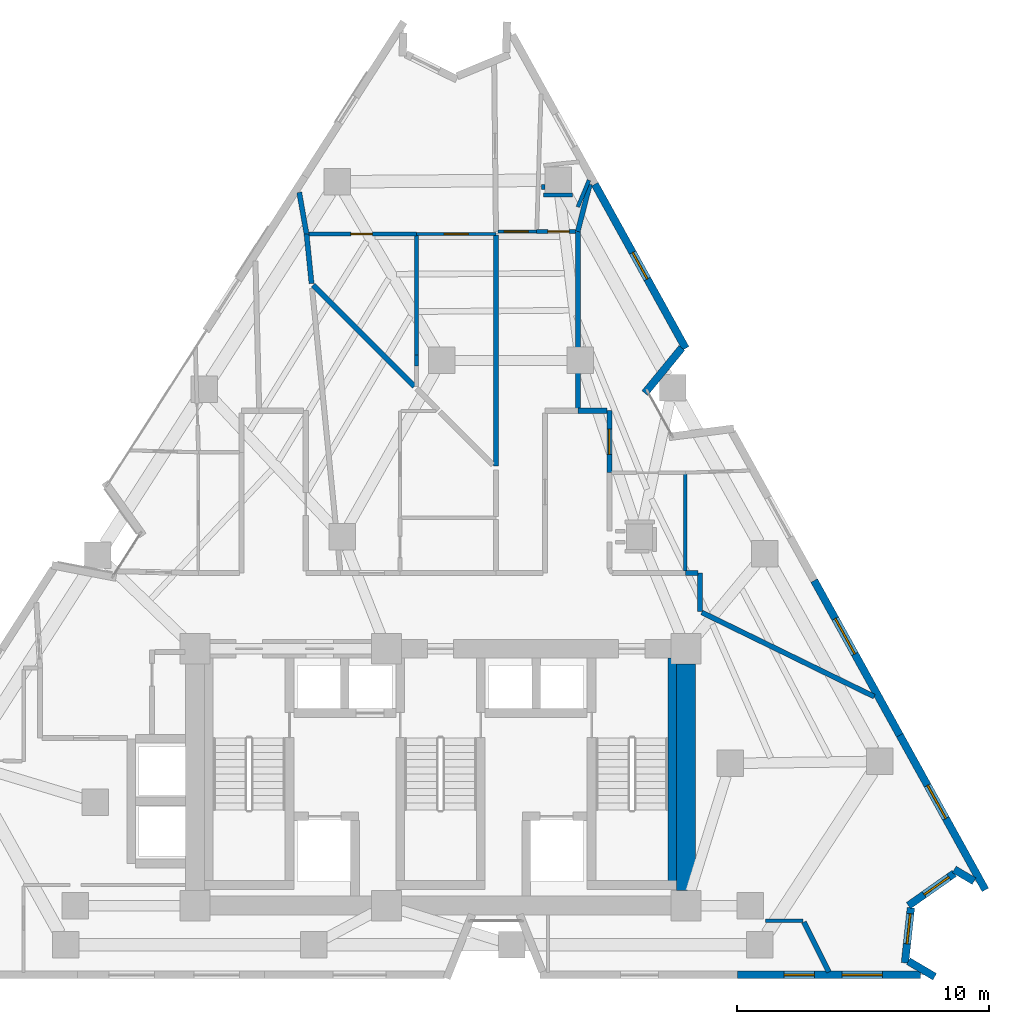
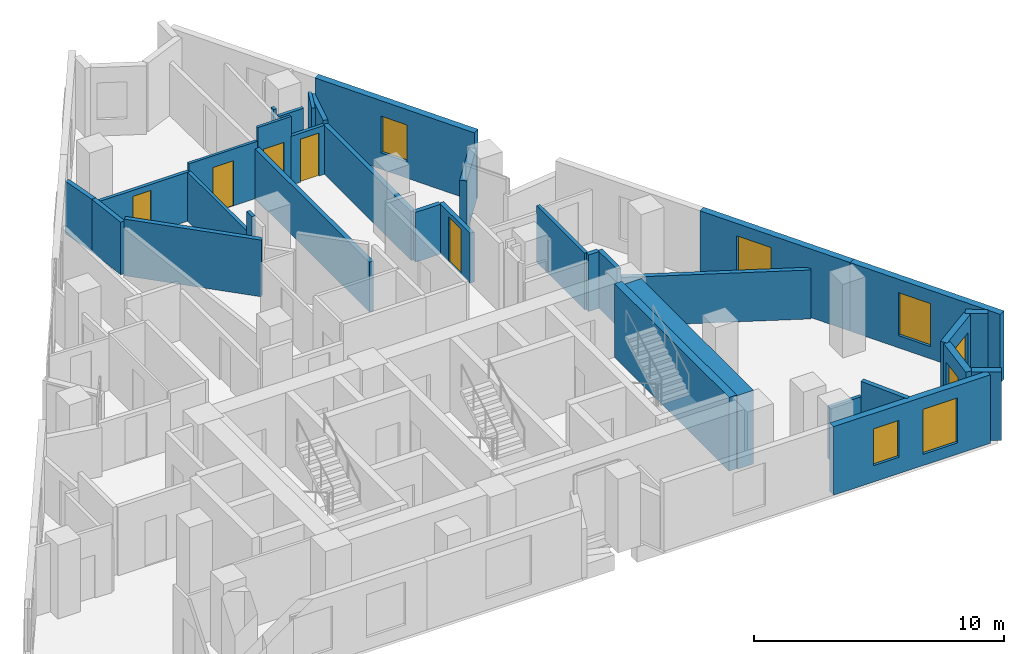
# One storey, part 8 of 11: 34 walls, 7 windows, 5 doors, 12 openings.
"""IFC4 building model written with IfcOpenShell, lengths in metres."""

from ifc_helpers import new_model, si_unit, direction, frame, frame_2d, origin, place, context, subcontext, project, spatial, rectangle, extrude, material, layer, layer_set, type_object, element, fill, save


model = new_model("IFC4")

# Units and contexts
model_context = context("Model", 3, precision=1e-05, world=origin(), true_north=direction((0.0, 1.0)))
body_context = subcontext(model_context, "Body", "Model", "MODEL_VIEW")
ifc_project = project(units=[si_unit("LENGTHUNIT", "METRE"), si_unit("AREAUNIT", "SQUARE_METRE"), si_unit("VOLUMEUNIT", "CUBIC_METRE"), si_unit("PLANEANGLEUNIT", "RADIAN"), si_unit("MASSUNIT", "GRAM", prefix="KILO")], contexts=[model_context])

# Site, building, storey
site_placement = place(None, origin())
site = spatial("IfcSite", under=ifc_project, at=site_placement, CompositionType="ELEMENT")
building_placement = place(site_placement, origin())
building = spatial("IfcBuilding", under=site, at=building_placement, Name="Almagre Mirador Tower", CompositionType="ELEMENT")
storey_placement = place(building_placement, frame((0.0, 0.0, 168.0)))
storey = spatial("IfcBuildingStorey", under=building, at=storey_placement, Name="L43", CompositionType="ELEMENT", Elevation=168.0)

# Wall, opening, window
ifc_material_1 = material(Name="Precast concrete C50/60", Category="concrete")
ifc_layer_1 = layer(ifc_material_1, 0.300048828125)
ifc_layer_set_1 = layer_set([ifc_layer_1], Name="Precast concrete C50/60")
wall_type_1 = type_object("IfcWallType", Name="WAL-EXT-300", PredefinedType="SOLIDWALL", material=ifc_layer_set_1)
wall_1_placement = place(storey_placement, frame((43.42578125, 33.1953125, 0.0), z_axis=(0.0, 0.0, 1.0), x_axis=(0.484187348611, -0.874964348671, 0.0)))
wall_1 = element("IfcWall", 1, at=wall_1_placement, inside=storey, type_object=wall_type_1, Name="L43 expressed almagre precast frame wall 10", PredefinedType="SOLIDWALL", context=body_context, shape_type="SweptSolid", body=[
    extrude(rectangle(XDim=7.451416015625, YDim=0.300048828125, at=frame_2d((3.7255859375, 0.0))), origin(), (0.0, 0.0, 1.0), 3.35009765625),
])
opening_1_placement = place(wall_1_placement, frame((3.10302734375, 0.0, 0.800048828125)))
opening_1 = element("IfcOpeningElement", 2, at=opening_1_placement, cuts=wall_1, Name="Opening WN-04", PredefinedType="OPENING", context=body_context, shape_type="SweptSolid", body=[
    extrude(rectangle(XDim=1.199951171875, YDim=1.800048828125, at=frame_2d((0.60009765625, 0.89990234375))), frame((0.0, 0.159902, 0.0), z_axis=(0.0, -1.0, 0.0), x_axis=(1.0, 0.0, 0.0)), (0.0, 0.0, 1.0), 0.320049),
])
ifc_material_2 = material(Name="Dark solar-control laminated hurricane glass", Category="glass")
window_type_1 = type_object("IfcWindowType", Name="WIN-1200X1800", PartitioningType="SINGLE_PANEL", PredefinedType="WINDOW", material=ifc_material_2)
window_1_placement = place(opening_1_placement, origin())
window_1 = element("IfcWindow", 3, at=window_1_placement, inside=storey, type_object=window_type_1, Name="L43 recessed hurricane window L43-UG-ST", OverallHeight=1.800048828125, OverallWidth=1.199951171875, PartitioningType="SINGLE_PANEL", PredefinedType="WINDOW", context=body_context, shape_type="SweptSolid", body=[
    extrude(rectangle(XDim=1.199951171875, YDim=1.800048828125, at=frame_2d((0.60009765625, 0.89990234375))), frame((0.0, 0.030029296875, 0.0), z_axis=(0.0, -1.0, 0.0), x_axis=(1.0, 0.0, 0.0)), (0.0, 0.0, 1.0), 0.06005859375),
])
fill(opening_1, window_1)

# Wall
wall_2_placement = place(storey_placement, frame((46.88037109375, 26.693603515625, 0.0), z_axis=(0.0, 0.0, 1.0), x_axis=(-0.634074551455, -0.773271920606, 0.0)))
element("IfcWall", 4, at=wall_2_placement, inside=storey, type_object=wall_type_1, Name="L43 expressed almagre precast frame wall 11", PredefinedType="SOLIDWALL", context=body_context, shape_type="SweptSolid", body=[
    extrude(rectangle(XDim=2.318603515625, YDim=0.300048828125, at=frame_2d((1.1591796875, 0.0))), origin(), (0.0, 0.0, 1.0), 2.574951171875),
])

# Wall, opening, window
wall_3_placement = place(storey_placement, frame((52.1357421875, 17.456787109375, 0.0), z_axis=(0.0, 0.0, 1.0), x_axis=(0.484177011321, -0.874970069036, 0.0)))
wall_3 = element("IfcWall", 5, at=wall_3_placement, inside=storey, type_object=wall_type_1, Name="L43 expressed almagre precast frame wall 14", PredefinedType="SOLIDWALL", context=body_context, shape_type="SweptSolid", body=[
    extrude(rectangle(XDim=7.01708984375, YDim=0.300048828125, at=frame_2d((3.508544921875, 0.0))), origin(), (0.0, 0.0, 1.0), 3.35009765625),
])
opening_2_placement = place(wall_3_placement, frame((1.72509765625, 0.0, 0.550048828125)))
opening_2 = element("IfcOpeningElement", 6, at=opening_2_placement, cuts=wall_3, Name="Opening WN-06", PredefinedType="OPENING", context=body_context, shape_type="SweptSolid", body=[
    extrude(rectangle(XDim=1.60009765625, YDim=2.199951171875, at=frame_2d((0.800048828125, 1.10009765625))), frame((0.0, 0.159902, 0.0), z_axis=(0.0, -1.0, 0.0), x_axis=(1.0, 0.0, 0.0)), (0.0, 0.0, 1.0), 0.320049),
])
ifc_material_3 = material(Name="Dark solar-control laminated hurricane glass", Category="glass")
window_type_2 = type_object("IfcWindowType", Name="WIN-1600X2200", PartitioningType="DOUBLE_PANEL_VERTICAL", PredefinedType="WINDOW", material=ifc_material_3)
window_2_placement = place(opening_2_placement, origin())
window_2 = element("IfcWindow", 7, at=window_2_placement, inside=storey, type_object=window_type_2, Name="L43 recessed hurricane window L43-UG-KT", OverallHeight=2.199951171875, OverallWidth=1.60009765625, PartitioningType="SINGLE_PANEL", PredefinedType="WINDOW", context=body_context, shape_type="SweptSolid", body=[
    extrude(rectangle(XDim=1.60009765625, YDim=2.199951171875, at=frame_2d((0.800048828125, 1.10009765625))), frame((0.0, 0.030029296875, 0.0), z_axis=(0.0, -1.0, 0.0), x_axis=(1.0, 0.0, 0.0)), (0.0, 0.0, 1.0), 0.06005859375),
])
fill(opening_2, window_2)

wall_4_placement = place(storey_placement, frame((55.533203125, 11.317138671875, 0.0), z_axis=(0.0, 0.0, 1.0), x_axis=(0.484203647085, -0.874955329231, 0.0)))
wall_4 = element("IfcWall", 8, at=wall_4_placement, inside=storey, type_object=wall_type_1, Name="L43 expressed almagre precast frame wall 15", PredefinedType="SOLIDWALL", context=body_context, shape_type="SweptSolid", body=[
    extrude(rectangle(XDim=7.01708984375, YDim=0.300048828125, at=frame_2d((3.508544921875, 0.0))), origin(), (0.0, 0.0, 1.0), 3.35009765625),
])
opening_3_placement = place(wall_4_placement, frame((2.27490234375, 0.0, 0.60009765625)))
opening_3 = element("IfcOpeningElement", 9, at=opening_3_placement, cuts=wall_4, Name="Opening WN-03", PredefinedType="OPENING", context=body_context, shape_type="SweptSolid", body=[
    extrude(rectangle(XDim=1.5, YDim=2.10009765625, at=frame_2d((0.75, 1.050048828125))), frame((0.0, 0.159902, 0.0), z_axis=(0.0, -1.0, 0.0), x_axis=(1.0, 0.0, 0.0)), (0.0, 0.0, 1.0), 0.320049),
])
ifc_material_4 = material(Name="Dark solar-control laminated hurricane glass", Category="glass")
window_type_3 = type_object("IfcWindowType", Name="WIN-1500X2100", PartitioningType="DOUBLE_PANEL_VERTICAL", PredefinedType="WINDOW", material=ifc_material_4)
window_3_placement = place(opening_3_placement, origin())
window_3 = element("IfcWindow", 10, at=window_3_placement, inside=storey, type_object=window_type_3, Name="L43 recessed hurricane window L43-RST-C", OverallHeight=2.10009765625, OverallWidth=1.5, PartitioningType="SINGLE_PANEL", PredefinedType="WINDOW", context=body_context, shape_type="SweptSolid", body=[
    extrude(rectangle(XDim=1.5, YDim=2.10009765625, at=frame_2d((0.75, 1.050048828125))), frame((0.0, 0.030029296875, 0.0), z_axis=(0.0, -1.0, 0.0), x_axis=(1.0, 0.0, 0.0)), (0.0, 0.0, 1.0), 0.06005859375),
])
fill(opening_3, window_3)

# Wall
wall_5_placement = place(storey_placement, frame((58.48388671875, 5.523681640625, 0.0), z_axis=(0.0, 0.0, 1.0), x_axis=(-0.861425815417, 0.507883416281, 0.0)))
element("IfcWall", 11, at=wall_5_placement, inside=storey, type_object=wall_type_1, Name="L43 expressed almagre precast frame wall 16", PredefinedType="SOLIDWALL", context=body_context, shape_type="SweptSolid", body=[
    extrude(rectangle(XDim=0.914306640625, YDim=0.300048828125, at=frame_2d((0.45703125, 0.0))), origin(), (0.0, 0.0, 1.0), 3.35009765625),
])

# Wall, opening, window
wall_6_placement = place(storey_placement, frame((57.698486328125, 5.83349609375, 0.0), z_axis=(0.0, 0.0, 1.0), x_axis=(-0.817967042546, -0.575265084382, 0.0)))
wall_6 = element("IfcWall", 12, at=wall_6_placement, inside=storey, type_object=wall_type_1, Name="L43 expressed almagre precast frame wall 17", PredefinedType="SOLIDWALL", context=body_context, shape_type="SweptSolid", body=[
    extrude(rectangle(XDim=2.22509765625, YDim=0.300048828125, at=frame_2d((1.112548828125, 0.0))), origin(), (0.0, 0.0, 1.0), 3.35009765625),
])
opening_4_placement = place(wall_6_placement, frame((0.264892578125, 0.0, 0.800048828125)))
opening_4 = element("IfcOpeningElement", 13, at=opening_4_placement, cuts=wall_6, Name="Opening WN-04", PredefinedType="OPENING", context=body_context, shape_type="SweptSolid", body=[
    extrude(rectangle(XDim=1.199951171875, YDim=1.800048828125, at=frame_2d((0.60009765625, 0.89990234375))), frame((0.0, 0.159902, 0.0), z_axis=(0.0, -1.0, 0.0), x_axis=(1.0, 0.0, 0.0)), (0.0, 0.0, 1.0), 0.320049),
])
window_4_placement = place(opening_4_placement, origin())
window_4 = element("IfcWindow", 14, at=window_4_placement, inside=storey, type_object=window_type_1, Name="L43 recessed hurricane window L43-RST-C", OverallHeight=1.800048828125, OverallWidth=1.199951171875, PartitioningType="SINGLE_PANEL", PredefinedType="WINDOW", context=body_context, shape_type="SweptSolid", body=[
    extrude(rectangle(XDim=1.199951171875, YDim=1.800048828125, at=frame_2d((0.60009765625, 0.89990234375))), frame((0.0, 0.030029296875, 0.0), z_axis=(0.0, -1.0, 0.0), x_axis=(1.0, 0.0, 0.0)), (0.0, 0.0, 1.0), 0.06005859375),
])
fill(opening_4, window_4)

wall_7_placement = place(storey_placement, frame((55.975341796875, 4.469970703125, 0.0), z_axis=(0.0, 0.0, 1.0), x_axis=(-0.107733264194, -0.994179834731, 0.0)))
wall_7 = element("IfcWall", 15, at=wall_7_placement, inside=storey, type_object=wall_type_1, Name="L43 expressed almagre precast frame wall 18", PredefinedType="SOLIDWALL", context=body_context, shape_type="SweptSolid", body=[
    extrude(rectangle(XDim=2.205078125, YDim=0.300048828125, at=frame_2d((1.1025390625, 0.0))), origin(), (0.0, 0.0, 1.0), 3.35009765625),
])
opening_5_placement = place(wall_7_placement, frame((0.2451171875, 0.0, 0.800048828125)))
opening_5 = element("IfcOpeningElement", 16, at=opening_5_placement, cuts=wall_7, Name="Opening WN-04", PredefinedType="OPENING", context=body_context, shape_type="SweptSolid", body=[
    extrude(rectangle(XDim=1.199951171875, YDim=1.800048828125, at=frame_2d((0.60009765625, 0.89990234375))), frame((0.0, 0.159902, 0.0), z_axis=(0.0, -1.0, 0.0), x_axis=(1.0, 0.0, 0.0)), (0.0, 0.0, 1.0), 0.320049),
])
window_5_placement = place(opening_5_placement, origin())
window_5 = element("IfcWindow", 17, at=window_5_placement, inside=storey, type_object=window_type_1, Name="L43 recessed hurricane window L43-RST-C", OverallHeight=1.800048828125, OverallWidth=1.199951171875, PartitioningType="SINGLE_PANEL", PredefinedType="WINDOW", context=body_context, shape_type="SweptSolid", body=[
    extrude(rectangle(XDim=1.199951171875, YDim=1.800048828125, at=frame_2d((0.60009765625, 0.89990234375))), frame((0.0, 0.030029296875, 0.0), z_axis=(0.0, -1.0, 0.0), x_axis=(1.0, 0.0, 0.0)), (0.0, 0.0, 1.0), 0.06005859375),
])
fill(opening_5, window_5)

# Wall
wall_8_placement = place(storey_placement, frame((55.87353515625, 2.345947265625, 0.0), z_axis=(0.0, 0.0, 1.0), x_axis=(0.861577684209, -0.50762574213, 0.0)))
element("IfcWall", 18, at=wall_8_placement, inside=storey, type_object=wall_type_1, Name="L43 expressed almagre precast frame wall 19", PredefinedType="SOLIDWALL", context=body_context, shape_type="SweptSolid", body=[
    extrude(rectangle(XDim=1.21533203125, YDim=0.300048828125, at=frame_2d((0.607666015625, 0.0))), origin(), (0.0, 0.0, 1.0), 3.35009765625),
])

# Wall, openings, windows
wall_9_placement = place(storey_placement, frame((56.360107421875, 1.800048828125, 0.0), z_axis=(0.0, 0.0, 1.0), x_axis=(-1.0, 0.0, 0.0)))
wall_9 = element("IfcWall", 19, at=wall_9_placement, inside=storey, type_object=wall_type_1, Name="L43 expressed almagre precast frame wall 20", PredefinedType="SOLIDWALL", context=body_context, shape_type="SweptSolid", body=[
    extrude(rectangle(XDim=7.26220703125, YDim=0.300048828125, at=frame_2d((3.631103515625, 0.0))), origin(), (0.0, 0.0, 1.0), 3.35009765625),
])
opening_6_placement = place(wall_9_placement, frame((4.219970703125, 0.0, 0.800048828125)))
opening_6 = element("IfcOpeningElement", 20, at=opening_6_placement, cuts=wall_9, Name="Opening WN-04", PredefinedType="OPENING", context=body_context, shape_type="SweptSolid", body=[
    extrude(rectangle(XDim=1.199951171875, YDim=1.800048828125, at=frame_2d((0.60009765625, 0.89990234375))), frame((0.0, 0.159902, 0.0), z_axis=(0.0, -1.0, 0.0), x_axis=(1.0, 0.0, 0.0)), (0.0, 0.0, 1.0), 0.320049),
])
opening_7_placement = place(wall_9_placement, frame((1.52001953125, 0.0, 0.550048828125)))
opening_7 = element("IfcOpeningElement", 21, at=opening_7_placement, cuts=wall_9, Name="Opening WN-06", PredefinedType="OPENING", context=body_context, shape_type="SweptSolid", body=[
    extrude(rectangle(XDim=1.60009765625, YDim=2.199951171875, at=frame_2d((0.800048828125, 1.10009765625))), frame((0.0, 0.159902, 0.0), z_axis=(0.0, -1.0, 0.0), x_axis=(1.0, 0.0, 0.0)), (0.0, 0.0, 1.0), 0.320049),
])
window_6_placement = place(opening_6_placement, origin())
window_6 = element("IfcWindow", 22, at=window_6_placement, inside=storey, type_object=window_type_1, Name="L43 recessed hurricane window L43-UB-KT", OverallHeight=1.800048828125, OverallWidth=1.199951171875, PartitioningType="SINGLE_PANEL", PredefinedType="WINDOW", context=body_context, shape_type="SweptSolid", body=[
    extrude(rectangle(XDim=1.199951171875, YDim=1.800048828125, at=frame_2d((0.60009765625, 0.89990234375))), frame((0.0, 0.030029296875, 0.0), z_axis=(0.0, -1.0, 0.0), x_axis=(1.0, 0.0, 0.0)), (0.0, 0.0, 1.0), 0.06005859375),
])
fill(opening_6, window_6)
window_7_placement = place(opening_7_placement, origin())
window_7 = element("IfcWindow", 23, at=window_7_placement, inside=storey, type_object=window_type_2, Name="L43 recessed hurricane window L43-RST-C", OverallHeight=2.199951171875, OverallWidth=1.60009765625, PartitioningType="SINGLE_PANEL", PredefinedType="WINDOW", context=body_context, shape_type="SweptSolid", body=[
    extrude(rectangle(XDim=1.60009765625, YDim=2.199951171875, at=frame_2d((0.800048828125, 1.10009765625))), frame((0.0, 0.030029296875, 0.0), z_axis=(0.0, -1.0, 0.0), x_axis=(1.0, 0.0, 0.0)), (0.0, 0.0, 1.0), 0.06005859375),
])
fill(opening_7, window_7)

# Wall, opening, door
ifc_material_5 = material(Name="Gypsum acoustic stud partition", Category="other")
ifc_layer_2 = layer(ifc_material_5, 0.125)
ifc_layer_set_2 = layer_set([ifc_layer_2], Name="Gypsum acoustic stud partition")
wall_type_2 = type_object("IfcWallType", Name="WAL-PRT-125-UTL", PredefinedType="PARTITIONING", material=ifc_layer_set_2)
wall_10_placement = place(storey_placement, frame((36.35009765625, 31.219970703125, 0.0), z_axis=(0.0, 0.0, 1.0), x_axis=(1.0, 0.0, 0.0)))
wall_10 = element("IfcWall", 24, at=wall_10_placement, inside=storey, type_object=wall_type_2, Name="L43 interior partition 060", PredefinedType="PARTITIONING", context=body_context, shape_type="SweptSolid", body=[
    extrude(rectangle(XDim=3.14990234375, YDim=0.125, at=frame_2d((1.574951171875, 0.0))), origin(), (0.0, 0.0, 1.0), 2.77099609375),
])
opening_8_placement = place(wall_10_placement, frame((1.10009765625, 0.0, 0.0)))
opening_8 = element("IfcOpeningElement", 25, at=opening_8_placement, cuts=wall_10, Name="Opening UD-01", PredefinedType="OPENING", context=body_context, shape_type="SweptSolid", body=[
    extrude(rectangle(XDim=0.949951171875, YDim=2.199951171875, at=frame_2d((0.47509765625, 1.10009765625))), frame((0.0, 0.0725, 0.0), z_axis=(0.0, -1.0, 0.0), x_axis=(1.0, 0.0, 0.0)), (0.0, 0.0, 1.0), 0.145),
])
ifc_material_6 = material(Name="Solid American walnut timber", Category="wood")
door_type_1 = type_object("IfcDoorType", Name="DOR-UNR-950X2200", OperationType="NOTDEFINED", PredefinedType="DOOR", material=ifc_material_6)
door_1_placement = place(opening_8_placement, origin())
door_1 = element("IfcDoor", 26, at=door_1_placement, inside=storey, type_object=door_type_1, Name="DR-1390 L43 interior door L43-UH-ST to L43-UH-KT", OperationType="SINGLE_SWING_LEFT", OverallHeight=2.199951171875, OverallWidth=0.949951171875, PredefinedType="DOOR", context=body_context, shape_type="SweptSolid", body=[
    extrude(rectangle(XDim=0.949951171875, YDim=2.199951171875, at=frame_2d((0.47509765625, 1.10009765625))), frame((0.0, 0.02490234375, 0.0), z_axis=(0.0, -1.0, 0.0), x_axis=(1.0, 0.0, 0.0)), (0.0, 0.0, 1.0), 0.050048828125),
])
fill(opening_8, door_1)

wall_11_placement = place(storey_placement, frame((41.1298828125, 31.320068359375, 0.0), z_axis=(0.0, 0.0, 1.0), x_axis=(-1.0, 0.0, 0.0)))
wall_11 = element("IfcWall", 27, at=wall_11_placement, inside=storey, type_object=wall_type_2, Name="L43 interior partition 065", PredefinedType="PARTITIONING", context=body_context, shape_type="SweptSolid", body=[
    extrude(rectangle(XDim=1.544921875, YDim=0.125, at=frame_2d((0.7724609375, 0.0))), origin(), (0.0, 0.0, 1.0), 3.35009765625),
])
opening_9_placement = place(wall_11_placement, frame((0.340087890625, 0.0, 0.0)))
opening_9 = element("IfcOpeningElement", 28, at=opening_9_placement, cuts=wall_11, Name="Opening UD-01", PredefinedType="OPENING", context=body_context, shape_type="SweptSolid", body=[
    extrude(rectangle(XDim=0.949951171875, YDim=2.199951171875, at=frame_2d((0.47509765625, 1.10009765625))), frame((0.0, 0.0725, 0.0), z_axis=(0.0, -1.0, 0.0), x_axis=(1.0, 0.0, 0.0)), (0.0, 0.0, 1.0), 0.145),
])
door_2_placement = place(opening_9_placement, origin())
door_2 = element("IfcDoor", 29, at=door_2_placement, inside=storey, type_object=door_type_1, Name="DR-1393 L43 interior door L43-UJ-ST to L43-UJ-KT", OperationType="SINGLE_SWING_RIGHT", OverallHeight=2.199951171875, OverallWidth=0.949951171875, PredefinedType="DOOR", context=body_context, shape_type="SweptSolid", body=[
    extrude(rectangle(XDim=0.949951171875, YDim=2.199951171875, at=frame_2d((0.47509765625, 1.10009765625))), frame((0.0, 0.02490234375, 0.0), z_axis=(0.0, -1.0, 0.0), x_axis=(1.0, 0.0, 0.0)), (0.0, 0.0, 1.0), 0.050048828125),
])
fill(opening_9, door_2)

# Walls
ifc_material_7 = material(Name="Gypsum acoustic stud partition", Category="other")
ifc_layer_3 = layer(ifc_material_7, 0.14990234375)
ifc_layer_set_3 = layer_set([ifc_layer_3], Name="Gypsum acoustic stud partition")
wall_type_3 = type_object("IfcWallType", Name="WAL-PRT-150-STD", PredefinedType="PARTITIONING", material=ifc_layer_set_3)
wall_12_placement = place(storey_placement, frame((50.199951171875, 3.949951171875, 0.0), z_axis=(0.0, 0.0, 1.0), x_axis=(1.0, 0.0, 0.0)))
element("IfcWall", 30, at=wall_12_placement, inside=storey, type_object=wall_type_3, Name="L43 interior partition 033", PredefinedType="PARTITIONING", context=body_context, shape_type="SweptSolid", body=[
    extrude(rectangle(XDim=1.5, YDim=0.14990234375, at=frame_2d((0.75, 0.0))), origin(), (0.0, 0.0, 1.0), 2.570068359375),
])
wall_13_placement = place(storey_placement, frame((47.02001953125, 17.8349609375, 0.0), z_axis=(0.0, 0.0, 1.0), x_axis=(0.0, 1.0, 0.0)))
element("IfcWall", 31, at=wall_13_placement, inside=storey, type_object=wall_type_3, Name="L43 interior partition 058", PredefinedType="PARTITIONING", context=body_context, shape_type="SweptSolid", body=[
    extrude(rectangle(XDim=3.844970703125, YDim=0.14990234375, at=frame_2d((1.92236328125, 0.0))), origin(), (0.0, 0.0, 1.0), 2.77099609375),
])

# Wall, opening, door
wall_14_placement = place(storey_placement, frame((32.06494140625, 31.219970703125, 0.0), z_axis=(0.0, 0.0, 1.0), x_axis=(1.0, 0.0, 0.0)))
wall_14 = element("IfcWall", 32, at=wall_14_placement, inside=storey, type_object=wall_type_3, Name="L43 interior partition 059", PredefinedType="PARTITIONING", context=body_context, shape_type="SweptSolid", body=[
    extrude(rectangle(XDim=4.28515625, YDim=0.14990234375, at=frame_2d((2.142578125, 0.0))), origin(), (0.0, 0.0, 1.0), 2.39306640625),
])
opening_10_placement = place(wall_14_placement, frame((1.675048828125, 0.0, 0.0)))
opening_10 = element("IfcOpeningElement", 33, at=opening_10_placement, cuts=wall_14, Name="Opening UD-04", PredefinedType="OPENING", context=body_context, shape_type="SweptSolid", body=[
    extrude(rectangle(XDim=0.85009765625, YDim=2.10009765625, at=frame_2d((0.425048828125, 1.050048828125))), frame((0.0, 0.084951, 0.0), z_axis=(0.0, -1.0, 0.0), x_axis=(1.0, 0.0, 0.0)), (0.0, 0.0, 1.0), 0.169902),
])
ifc_material_8 = material(Name="Moisture-resistant oak timber", Category="wood")
door_type_2 = type_object("IfcDoorType", Name="DOR-UNR-850X2100", OperationType="NOTDEFINED", PredefinedType="DOOR", material=ifc_material_8)
door_3_placement = place(opening_10_placement, origin())
door_3 = element("IfcDoor", 34, at=door_3_placement, inside=storey, type_object=door_type_2, Name="DR-1391 L43 interior door L43-UH-ST to L43-UH-BT", OperationType="SINGLE_SWING_RIGHT", OverallHeight=2.10009765625, OverallWidth=0.85009765625, PredefinedType="DOOR", context=body_context, shape_type="SweptSolid", body=[
    extrude(rectangle(XDim=0.85009765625, YDim=2.10009765625, at=frame_2d((0.425048828125, 1.050048828125))), frame((0.0, 0.02490234375, 0.0), z_axis=(0.0, -1.0, 0.0), x_axis=(1.0, 0.0, 0.0)), (0.0, 0.0, 1.0), 0.050048828125),
])
fill(opening_10, door_3)

# Wall
wall_15_placement = place(storey_placement, frame((36.35009765625, 26.419921875, 0.0), z_axis=(0.0, 0.0, 1.0), x_axis=(0.0, 1.0, 0.0)))
element("IfcWall", 35, at=wall_15_placement, inside=storey, type_object=wall_type_3, Name="L43 interior partition 063", PredefinedType="PARTITIONING", context=body_context, shape_type="SweptSolid", body=[
    extrude(rectangle(XDim=4.739990234375, YDim=0.14990234375, at=frame_2d((2.3701171875, 0.0))), origin(), (0.0, 0.0, 1.0), 2.39306640625),
])

# Wall, opening, door
wall_16_placement = place(storey_placement, frame((42.6650390625, 31.320068359375, 0.0), z_axis=(0.0, 0.0, 1.0), x_axis=(-1.0, 0.0, 0.0)))
wall_16 = element("IfcWall", 36, at=wall_16_placement, inside=storey, type_object=wall_type_3, Name="L43 interior partition 066", PredefinedType="PARTITIONING", context=body_context, shape_type="SweptSolid", body=[
    extrude(rectangle(XDim=1.544921875, YDim=0.14990234375, at=frame_2d((0.7724609375, 0.0))), origin(), (0.0, 0.0, 1.0), 2.39306640625),
])
opening_11_placement = place(wall_16_placement, frame((0.2548828125, 0.0, 0.0)))
opening_11 = element("IfcOpeningElement", 37, at=opening_11_placement, cuts=wall_16, Name="Opening UD-04", PredefinedType="OPENING", context=body_context, shape_type="SweptSolid", body=[
    extrude(rectangle(XDim=0.85009765625, YDim=2.10009765625, at=frame_2d((0.425048828125, 1.050048828125))), frame((0.0, 0.084951, 0.0), z_axis=(0.0, -1.0, 0.0), x_axis=(1.0, 0.0, 0.0)), (0.0, 0.0, 1.0), 0.169902),
])
door_4_placement = place(opening_11_placement, origin())
door_4 = element("IfcDoor", 38, at=door_4_placement, inside=storey, type_object=door_type_2, Name="DR-1394 L43 interior door L43-UJ-ST to L43-UJ-BT", OperationType="SINGLE_SWING_LEFT", OverallHeight=2.10009765625, OverallWidth=0.85009765625, PredefinedType="DOOR", context=body_context, shape_type="SweptSolid", body=[
    extrude(rectangle(XDim=0.85009765625, YDim=2.10009765625, at=frame_2d((0.425048828125, 1.050048828125))), frame((0.0, 0.02490234375, 0.0), z_axis=(0.0, -1.0, 0.0), x_axis=(1.0, 0.0, 0.0)), (0.0, 0.0, 1.0), 0.050048828125),
])
fill(opening_11, door_4)

# Walls
wall_17_placement = place(storey_placement, frame((36.35009765625, 25.97998046875, 0.0), z_axis=(0.0, 0.0, 1.0), x_axis=(0.0, 1.0, 0.0)))
element("IfcWall", 39, at=wall_17_placement, inside=storey, type_object=wall_type_3, Name="L43 interior partition 074", PredefinedType="PARTITIONING", context=body_context, shape_type="SweptSolid", body=[
    extrude(rectangle(XDim=0.43994140625, YDim=0.14990234375, at=frame_2d((0.219970703125, 0.0))), origin(), (0.0, 0.0, 1.0), 3.35009765625),
])
wall_18_placement = place(storey_placement, frame((42.75, 32.2900390625, 0.0), z_axis=(0.0, 0.0, 1.0), x_axis=(0.38662798091, 0.922235763987, 0.0)))
element("IfcWall", 40, at=wall_18_placement, inside=storey, type_object=wall_type_3, Name="L43 interior partition 075", PredefinedType="PARTITIONING", context=body_context, shape_type="SweptSolid", body=[
    extrude(rectangle(XDim=1.153564453125, YDim=0.14990234375, at=frame_2d((0.57666015625, 0.0))), origin(), (0.0, 0.0, 1.0), 2.570068359375),
])
wall_19_placement = place(storey_placement, frame((42.534912109375, 32.77001953125, 0.0), z_axis=(0.0, 0.0, 1.0), x_axis=(-1.0, 0.0, 0.0)))
element("IfcWall", 41, at=wall_19_placement, inside=storey, type_object=wall_type_3, Name="L43 interior partition 076", PredefinedType="PARTITIONING", context=body_context, shape_type="SweptSolid", body=[
    extrude(rectangle(XDim=1.155029296875, YDim=0.14990234375, at=frame_2d((0.57763671875, 0.0))), origin(), (0.0, 0.0, 1.0), 2.39306640625),
])
wall_20_placement = place(storey_placement, frame((41.3798828125, 32.985107421875, 0.0), z_axis=(0.0, 0.0, 1.0), x_axis=(0.0, 1.0, 0.0)))
element("IfcWall", 42, at=wall_20_placement, inside=storey, type_object=wall_type_3, Name="L43 interior partition 077", PredefinedType="PARTITIONING", context=body_context, shape_type="SweptSolid", body=[
    extrude(rectangle(XDim=0.206787109375, YDim=0.14990234375, at=frame_2d((0.103515625, 0.0))), origin(), (0.0, 0.0, 1.0), 2.570068359375),
])

# Wall, opening, door
ifc_material_9 = material(Name="Gypsum acoustic stud partition", Category="other")
ifc_layer_4 = layer(ifc_material_9, 0.199951171875)
ifc_layer_set_4 = layer_set([ifc_layer_4], Name="Gypsum acoustic stud partition")
wall_type_4 = type_object("IfcWallType", Name="WAL-PRT-200-EI60", PredefinedType="PARTITIONING", material=ifc_layer_set_4)
wall_21_placement = place(storey_placement, frame((44.0, 21.739990234375, 0.0), z_axis=(0.0, 0.0, 1.0), x_axis=(0.0, 1.0, 0.0)))
wall_21 = element("IfcWall", 43, at=wall_21_placement, inside=storey, type_object=wall_type_4, Name="L43 interior partition 014", PredefinedType="PARTITIONING", context=body_context, shape_type="SweptSolid", body=[
    extrude(rectangle(XDim=2.4599609375, YDim=0.199951171875, at=frame_2d((1.22998046875, 0.0))), origin(), (0.0, 0.0, 1.0), 2.43603515625),
])
opening_12_placement = place(wall_21_placement, frame((0.72998046875, 0.0, 0.0)))
opening_12 = element("IfcOpeningElement", 44, at=opening_12_placement, cuts=wall_21, Name="Opening ID-01", PredefinedType="OPENING", context=body_context, shape_type="SweptSolid", body=[
    extrude(rectangle(XDim=1.0, YDim=2.199951171875, at=frame_2d((0.5, 1.10009765625))), frame((0.0, 0.110098, 0.0), z_axis=(0.0, -1.0, 0.0), x_axis=(1.0, 0.0, 0.0)), (0.0, 0.0, 1.0), 0.219951),
])
ifc_material_10 = material(Name="Fire-rated walnut timber", Category="wood")
door_type_3 = type_object("IfcDoorType", Name="DOR-FD60-1000X2200", OperationType="NOTDEFINED", PredefinedType="DOOR", material=ifc_material_10)
door_5_placement = place(opening_12_placement, origin())
door_5 = element("IfcDoor", 45, at=door_5_placement, inside=storey, type_object=door_type_3, Name="DR-1387 L43 interior door L43-RCOR to L43-UG-ST", OperationType="SINGLE_SWING_RIGHT", OverallHeight=2.199951171875, OverallWidth=1.0, PredefinedType="DOOR", context=body_context, shape_type="SweptSolid", body=[
    extrude(rectangle(XDim=1.0, YDim=2.199951171875, at=frame_2d((0.5, 1.10009765625))), frame((0.0, 0.02490234375, 0.0), z_axis=(0.0, -1.0, 0.0), x_axis=(1.0, 0.0, 0.0)), (0.0, 0.0, 1.0), 0.050048828125),
])
fill(opening_12, door_5)

# Walls
wall_22_placement = place(storey_placement, frame((43.9150390625, 24.199951171875, 0.0), z_axis=(0.0, 0.0, 1.0), x_axis=(-1.0, 0.0, 0.0)))
element("IfcWall", 46, at=wall_22_placement, inside=storey, type_object=wall_type_4, Name="L43 interior partition 015", PredefinedType="PARTITIONING", context=body_context, shape_type="SweptSolid", body=[
    extrude(rectangle(XDim=1.1650390625, YDim=0.199951171875, at=frame_2d((0.58251953125, 0.0))), origin(), (0.0, 0.0, 1.0), 2.43603515625),
])
wall_23_placement = place(storey_placement, frame((47.60009765625, 16.22998046875, 0.0), z_axis=(0.0, 0.0, 1.0), x_axis=(0.0, 1.0, 0.0)))
element("IfcWall", 47, at=wall_23_placement, inside=storey, type_object=wall_type_4, Name="L43 interior partition 019", PredefinedType="PARTITIONING", context=body_context, shape_type="SweptSolid", body=[
    extrude(rectangle(XDim=1.52001953125, YDim=0.199951171875, at=frame_2d((0.760009765625, 0.0))), origin(), (0.0, 0.0, 1.0), 2.77099609375),
])
wall_24_placement = place(storey_placement, frame((47.514892578125, 17.75, 0.0), z_axis=(0.0, 0.0, 1.0), x_axis=(-1.0, 0.0, 0.0)))
element("IfcWall", 48, at=wall_24_placement, inside=storey, type_object=wall_type_4, Name="L43 interior partition 020", PredefinedType="PARTITIONING", context=body_context, shape_type="SweptSolid", body=[
    extrude(rectangle(XDim=0.494873046875, YDim=0.199951171875, at=frame_2d((0.24755859375, 0.0))), origin(), (0.0, 0.0, 1.0), 2.77099609375),
])
wall_25_placement = place(storey_placement, frame((52.716064453125, 1.91796875, 0.0), z_axis=(0.0, 0.0, 1.0), x_axis=(-0.44703697958, 0.894515477165, 0.0)))
element("IfcWall", 49, at=wall_25_placement, inside=storey, type_object=wall_type_4, Name="L43 interior partition 035", PredefinedType="PARTITIONING", context=body_context, shape_type="SweptSolid", body=[
    extrude(rectangle(XDim=2.2119140625, YDim=0.199951171875, at=frame_2d((1.10595703125, 0.0))), origin(), (0.0, 0.0, 1.0), 3.35009765625),
])
wall_26_placement = place(storey_placement, frame((54.51904296875, 12.85107421875, 0.0), z_axis=(0.0, 0.0, 1.0), x_axis=(-0.898612787357, 0.438742587855, 0.0)))
element("IfcWall", 50, at=wall_26_placement, inside=storey, type_object=wall_type_4, Name="L43 interior partition 036", PredefinedType="PARTITIONING", context=body_context, shape_type="SweptSolid", body=[
    extrude(rectangle(XDim=7.614990234375, YDim=0.199951171875, at=frame_2d((3.8076171875, 0.0))), origin(), (0.0, 0.0, 1.0), 2.39306640625),
])
wall_27_placement = place(storey_placement, frame((31.97998046875, 31.219970703125, 0.0), z_axis=(0.0, 0.0, 1.0), x_axis=(-0.17276967515, 0.984962252753, 0.0)))
element("IfcWall", 51, at=wall_27_placement, inside=storey, type_object=wall_type_4, Name="L43 interior partition 043", PredefinedType="PARTITIONING", context=body_context, shape_type="SweptSolid", body=[
    extrude(rectangle(XDim=1.673095703125, YDim=0.199951171875, at=frame_2d((0.83642578125, 0.0))), origin(), (0.0, 0.0, 1.0), 2.570068359375),
])
wall_28_placement = place(storey_placement, frame((32.179931640625, 29.25, 0.0), z_axis=(0.0, 0.0, 1.0), x_axis=(-0.100980739114, 0.994888380839, 0.0)))
element("IfcWall", 52, at=wall_28_placement, inside=storey, type_object=wall_type_4, Name="L43 interior partition 044", PredefinedType="PARTITIONING", context=body_context, shape_type="SweptSolid", body=[
    extrude(rectangle(XDim=1.97998046875, YDim=0.199951171875, at=frame_2d((0.989990234375, 0.0))), origin(), (0.0, 0.0, 1.0), 2.570068359375),
])
wall_29_placement = place(storey_placement, frame((36.26171875, 25.16845703125, 0.0), z_axis=(0.0, 0.0, 1.0), x_axis=(-0.707128244111, 0.707085317611, 0.0)))
element("IfcWall", 53, at=wall_29_placement, inside=storey, type_object=wall_type_4, Name="L43 interior partition 048", PredefinedType="PARTITIONING", context=body_context, shape_type="SweptSolid", body=[
    extrude(rectangle(XDim=5.6875, YDim=0.199951171875, at=frame_2d((2.84375, 0.0))), origin(), (0.0, 0.0, 1.0), 2.77099609375),
])
wall_30_placement = place(storey_placement, frame((42.75, 31.320068359375, 0.0), z_axis=(0.0, 0.0, 1.0), x_axis=(0.0, -1.0, 0.0)))
element("IfcWall", 54, at=wall_30_placement, inside=storey, type_object=wall_type_4, Name="L43 interior partition 056", PredefinedType="PARTITIONING", context=body_context, shape_type="SweptSolid", body=[
    extrude(rectangle(XDim=7.03515625, YDim=0.199951171875, at=frame_2d((3.517578125, 0.0))), origin(), (0.0, 0.0, 1.0), 2.39306640625),
])
wall_31_placement = place(storey_placement, frame((43.227783203125, 33.19189453125, 0.0), z_axis=(0.0, 0.0, 1.0), x_axis=(-0.247320136716, -0.968933821257, 0.0)))
element("IfcWall", 55, at=wall_31_placement, inside=storey, type_object=wall_type_4, Name="L43 interior partition 057", PredefinedType="PARTITIONING", context=body_context, shape_type="SweptSolid", body=[
    extrude(rectangle(XDim=1.931884765625, YDim=0.199951171875, at=frame_2d((0.9658203125, 0.0))), origin(), (0.0, 0.0, 1.0), 2.570068359375),
])
wall_32_placement = place(storey_placement, frame((39.5, 22.014892578125, 0.0), z_axis=(0.0, 0.0, 1.0), x_axis=(0.0, 1.0, 0.0)))
element("IfcWall", 56, at=wall_32_placement, inside=storey, type_object=wall_type_4, Name="L43 interior partition 064", PredefinedType="PARTITIONING", context=body_context, shape_type="SweptSolid", body=[
    extrude(rectangle(XDim=9.15771484375, YDim=0.199951171875, at=frame_2d((4.578857421875, 0.0))), origin(), (0.0, 0.0, 1.0), 2.43603515625),
])
ifc_material_11 = material(Name="Concrete C60/75", Category="concrete")
ifc_layer_5 = layer(ifc_material_11, 0.35009765625)
ifc_layer_set_5 = layer_set([ifc_layer_5], Name="Concrete C60/75")
wall_type_5 = type_object("IfcWallType", Name="WAL-SHF-350", PredefinedType="SOLIDWALL", material=ifc_layer_set_5)
wall_33_placement = place(storey_placement, frame((46.5, 5.199951171875, 0.0), z_axis=(0.0, 0.0, 1.0), x_axis=(0.0, 1.0, 0.0)))
element("IfcWall", 57, at=wall_33_placement, inside=storey, type_object=wall_type_5, Name="L43 shaft wall ST3-E", PredefinedType="SOLIDWALL", context=body_context, shape_type="SweptSolid", body=[
    extrude(rectangle(XDim=9.175048828125, YDim=0.35009765625, at=frame_2d((4.58740234375, 0.0))), origin(), (0.0, 0.0, 1.0), 3.60009765625),
])
ifc_material_12 = material(Name="Concrete C60/75", Category="concrete")
ifc_layer_6 = layer(ifc_material_12, 0.75)
ifc_layer_set_6 = layer_set([ifc_layer_6], Name="Concrete C60/75")
wall_type_6 = type_object("IfcWallType", Name="WAL-SHR-750", PredefinedType="SHEAR", material=ifc_layer_set_6)
wall_34_placement = place(storey_placement, frame((47.050048828125, 5.14990234375, 0.0), z_axis=(0.0, 0.0, 1.0), x_axis=(0.0, 1.0, 0.0)))
element("IfcWall", 58, at=wall_34_placement, inside=storey, type_object=wall_type_6, Name="L43 core shear wall E1", PredefinedType="SHEAR", context=body_context, shape_type="SweptSolid", body=[
    extrude(rectangle(XDim=9.0, YDim=0.75, at=frame_2d((4.5, 0.0))), origin(), (0.0, 0.0, 1.0), 3.60009765625),
])

save(model, "model.ifc")
